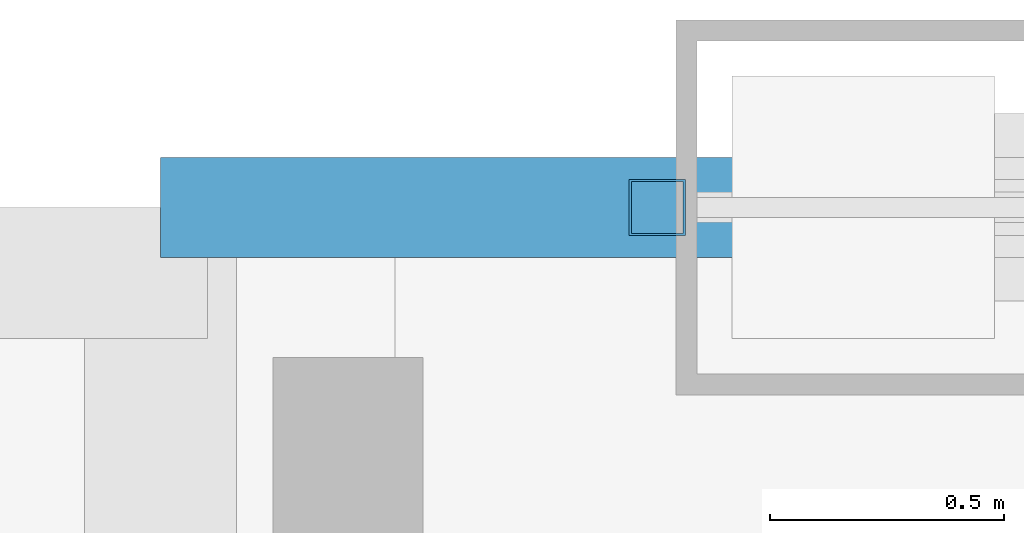
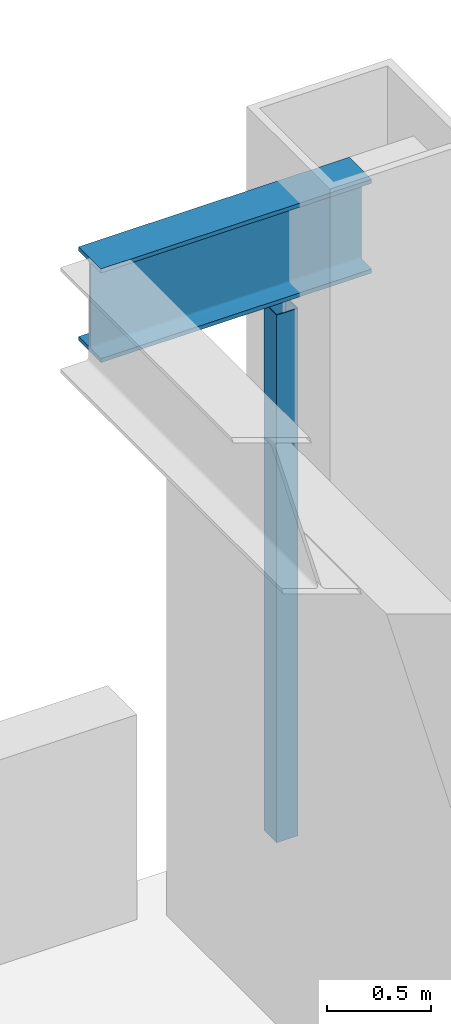
# One storey, part 20 of 29: 1 beam, 1 member, 1 element without a shape of its own.
"""IFC4 building model written with IfcOpenShell, lengths in metres."""

from ifc_helpers import new_model, si_unit, direction, frame, origin, origin_2d, place, context, subcontext, project, spatial, hollow_rectangle, i_section, extrude, source, transform, mapped, material, material_profile, profile_set, type_object, element, aggregate, save


model = new_model("IFC4")

# Units and contexts
model_context = context("Model", 3, precision=1e-05, world=origin(), true_north=direction((0.0, 1.0)))
body_context = subcontext(model_context, "Body", "Model", "MODEL_VIEW")
ifc_project = project(units=[si_unit("LENGTHUNIT", "METRE"), si_unit("AREAUNIT", "SQUARE_METRE"), si_unit("VOLUMEUNIT", "CUBIC_METRE"), si_unit("PLANEANGLEUNIT", "RADIAN"), si_unit("MASSUNIT", "GRAM", prefix="KILO")], contexts=[model_context])

# Site, building, storey
site_placement = place(None, origin())
site = spatial("IfcSite", under=ifc_project, at=site_placement, CompositionType="ELEMENT")
building_placement = place(site_placement, origin())
building = spatial("IfcBuilding", under=site, at=building_placement, Name="Khorayat Bourse Tower", CompositionType="ELEMENT")
storey_placement = place(building_placement, frame((0.0, 0.0, 346.300048828125)))
storey = spatial("IfcBuildingStorey", under=building, at=storey_placement, Name="L82", CompositionType="ELEMENT", Elevation=346.300048828125)

# Beam
ifc_material_1 = material(Name="Steel ASTM A992 Grade 50", Category="steel")
ifc_material_profile_1 = material_profile(ifc_material_1, i_section(OverallWidth=0.214111328125, OverallDepth=0.549072265625, WebThickness=0.0146484375, FlangeThickness=0.023681640625, FilletRadius=0.013916015625, at=origin_2d()), Name="W530X138")
ifc_profile_set_1 = profile_set([ifc_material_profile_1], Name="Steel ASTM A992 Grade 50")
beam_type = type_object("IfcBeamType", Name="BM-SPAN-530", PredefinedType="SPANDREL", material=ifc_profile_set_1)
shared_shape_1 = source(origin(), body_context, "Body", "SweptSolid", [
    extrude(i_section(OverallWidth=0.214111328125, OverallDepth=0.549072265625, WebThickness=0.0146484375, FlangeThickness=0.023681640625, FilletRadius=0.013916015625, at=origin_2d()), origin(), (0.0, 0.0, 1.0), 1.5),
])
beam_placement = place(storey_placement, frame((4.5, 26.0, 3.46533203125), z_axis=(1.0, 0.0, 0.0), x_axis=(0.0, 1.0, 0.0)))
element("IfcBeam", 1, at=beam_placement, inside=storey, type_object=beam_type, Name="L82 BM-SPAN-530 BM-L82-SPN-039", PredefinedType="SPANDREL", context=body_context, shape_type="MappedRepresentation", body=[
    mapped(shared_shape_1, transform((0.0, 0.0, 0.0), scale=1.0)),
])

# Curtain wall, member
ifc_material_2 = material(Name="Aluminium EN AW-6063 T6", Category="aluminium")
curtain_wall_type = type_object("IfcCurtainWallType", Name="CW-SYS-06", PredefinedType="NOTDEFINED", material=ifc_material_2)
curtain_wall_placement = place(storey_placement, origin())
curtain_wall = element("IfcCurtainWall", 2, at=curtain_wall_placement, inside=storey, type_object=curtain_wall_type, Name="L82 Curtain Wall CW-L82-N2", PredefinedType="NOTDEFINED")
ifc_material_profile_2 = material_profile(ifc_material_2, hollow_rectangle(XDim=0.1201171875, YDim=0.1201171875, WallThickness=0.0048828125, at=origin_2d()), Name="ALU 120x120x5")
ifc_profile_set_2 = profile_set([ifc_material_profile_2], Name="Aluminium EN AW-6063 T6")
member_type = type_object("IfcMemberType", Name="CWM-VERT-120", PredefinedType="MULLION", material=ifc_profile_set_2)
shared_shape_2 = source(origin(), body_context, "Body", "SweptSolid", [
    extrude(hollow_rectangle(XDim=0.1201171875, YDim=0.1201171875, WallThickness=0.0048828125, at=origin_2d()), origin(), (0.0, 0.0, 1.0), 3.08984375),
])
member_placement = place(storey_placement, frame((5.56005859375, 26.0, 0.0), z_axis=(0.0, 0.0, 1.0), x_axis=(0.0, -1.0, 0.0)))
member = element("IfcMember", 3, at=member_placement, type_object=member_type, Name="CW-L82-N2 Vertical Mullion 3", PredefinedType="MULLION", context=body_context, shape_type="MappedRepresentation", body=[
    mapped(shared_shape_2, transform((0.0, 0.0, 0.0), scale=1.0)),
])
aggregate(curtain_wall, [member])

save(model, "model.ifc")
